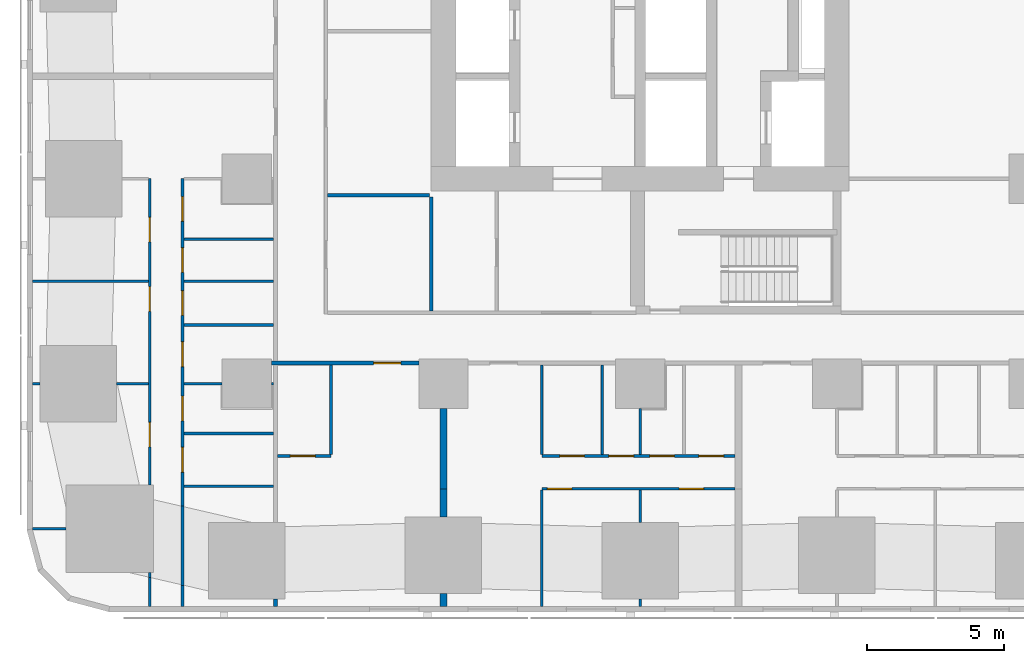
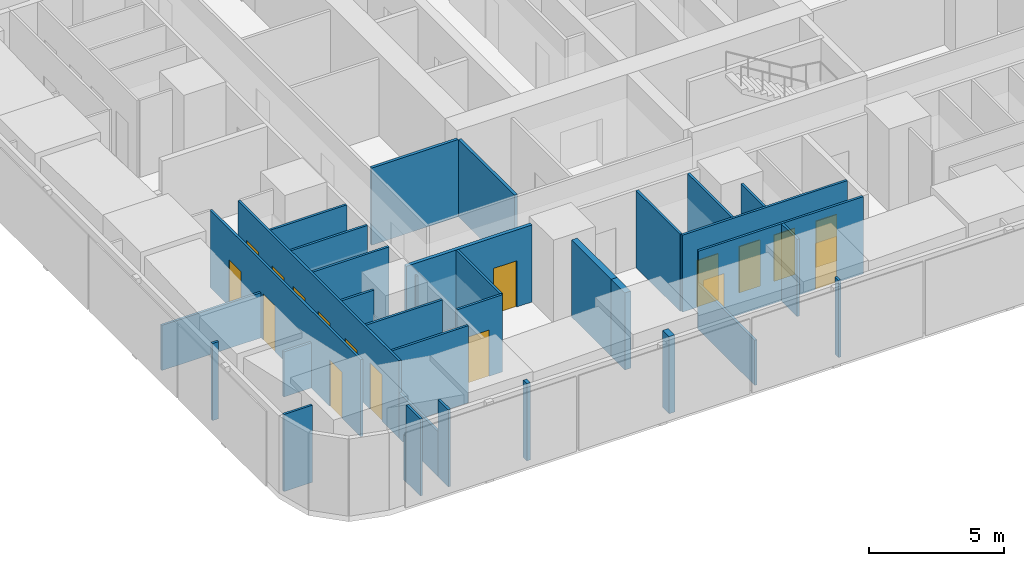
# One storey, part 2 of 18: 34 walls, 17 doors, 17 openings.
"""IFC4 building model written with IfcOpenShell, lengths in metres."""

from ifc_helpers import new_model, si_unit, direction, frame, frame_2d, origin, place, context, subcontext, project, spatial, rectangle, extrude, material, layer, layer_set, type_object, element, fill, save


model = new_model("IFC4")

# Units and contexts
model_context = context("Model", 3, precision=1e-05, world=origin(), true_north=direction((0.0, 1.0)))
body_context = subcontext(model_context, "Body", "Model", "MODEL_VIEW")
ifc_project = project(units=[si_unit("LENGTHUNIT", "METRE"), si_unit("AREAUNIT", "SQUARE_METRE"), si_unit("VOLUMEUNIT", "CUBIC_METRE"), si_unit("PLANEANGLEUNIT", "RADIAN"), si_unit("MASSUNIT", "GRAM", prefix="KILO")], contexts=[model_context])

# Site, building, storey
site_placement = place(None, origin())
site = spatial("IfcSite", under=ifc_project, at=site_placement, CompositionType="ELEMENT")
building_placement = place(site_placement, origin())
building = spatial("IfcBuilding", under=site, at=building_placement, Name="Sheger Commons Tower", CompositionType="ELEMENT")
storey_placement = place(building_placement, frame((0.0, 0.0, 38.75)))
storey = spatial("IfcBuildingStorey", under=building, at=storey_placement, Name="L09", CompositionType="ELEMENT", Elevation=38.75)

# Wall
ifc_material_1 = material(Name="Hollow concrete block masonry, skimmed both sides", Category="masonry")
ifc_layer_1 = layer(ifc_material_1, 0.14990234375)
ifc_layer_set_1 = layer_set([ifc_layer_1], Name="CORRIDOR WALL 150")
wall_type_1 = type_object("IfcWallType", Name="CORRIDOR WALL 150", PredefinedType="SOLIDWALL", material=ifc_layer_set_1)
wall_1_placement = place(storey_placement, frame((8.25, -0.64990234375, 0.0), z_axis=(0.0, 0.0, 1.0), x_axis=(0.0, 1.0, 0.0)))
element("IfcWall", 1, at=wall_1_placement, inside=storey, type_object=wall_type_1, Name="Corridor wall L09", PredefinedType="SOLIDWALL", context=body_context, shape_type="SweptSolid", body=[
    extrude(rectangle(XDim=0.27392578125, YDim=0.14990234375, at=frame_2d((0.136962890625, 0.0))), origin(), (0.0, 0.0, 1.0), 3.5),
])

# Wall, opening, door
wall_2_placement = place(storey_placement, frame((13.4990234375, 8.25, 0.0), z_axis=(0.0, 0.0, 1.0), x_axis=(-1.0, 0.0, 0.0)))
wall_2 = element("IfcWall", 2, at=wall_2_placement, inside=storey, type_object=wall_type_1, Name="Corridor wall L09", PredefinedType="SOLIDWALL", context=body_context, shape_type="SweptSolid", body=[
    extrude(rectangle(XDim=5.39892578125, YDim=0.14990234375, at=frame_2d((2.699462890625, 0.0))), origin(), (0.0, 0.0, 1.0), 3.5),
])
opening_1_placement = place(wall_2_placement, frame((0.659912109375, 0.0, 0.0)))
opening_1 = element("IfcOpeningElement", 3, at=opening_1_placement, cuts=wall_2, Name="Opening D1", PredefinedType="OPENING", context=body_context, shape_type="SweptSolid", body=[
    extrude(rectangle(XDim=1.0, YDim=2.10009765625, at=frame_2d((0.5, 1.050048828125))), frame((0.0, 0.0849609375, 0.0), z_axis=(0.0, -1.0, 0.0), x_axis=(1.0, 0.0, 0.0)), (0.0, 0.0, 1.0), 0.169921875),
])
ifc_material_2 = material(Name="Steel door set, fire rated", Category="steel")
door_type_1 = type_object("IfcDoorType", Name="FLAT ENTRANCE DOOR 1000x2100", OperationType="NOTDEFINED", PredefinedType="DOOR", material=ifc_material_2)
door_1_placement = place(opening_1_placement, origin())
door_1 = element("IfcDoor", 4, at=door_1_placement, inside=storey, type_object=door_type_1, Name="Flat entrance door", OperationType="SINGLE_SWING_LEFT", OverallHeight=2.10009765625, OverallWidth=1.0, PredefinedType="DOOR", context=body_context, shape_type="SweptSolid", body=[
    extrude(rectangle(XDim=1.0, YDim=2.10009765625, at=frame_2d((0.5, 1.050048828125))), frame((0.0, 0.02490234375, 0.0), z_axis=(0.0, -1.0, 0.0), x_axis=(1.0, 0.0, 0.0)), (0.0, 0.0, 1.0), 0.050048828125),
])
fill(opening_1, door_1)

# Walls
ifc_material_3 = material(Name="Dense concrete block masonry, plastered both sides (separating wall between flats)", Category="masonry")
ifc_layer_2 = layer(ifc_material_3, 0.25)
ifc_layer_set_2 = layer_set([ifc_layer_2], Name="DEMISING WALL 250")
wall_type_2 = type_object("IfcWallType", Name="DEMISING WALL 250", PredefinedType="SOLIDWALL", material=ifc_layer_set_2)
wall_3_placement = place(storey_placement, frame((14.39990234375, -0.64990234375, 0.0), z_axis=(0.0, 0.0, 1.0), x_axis=(0.0, 1.0, 0.0)))
element("IfcWall", 5, at=wall_3_placement, inside=storey, type_object=wall_type_2, Name="Demising wall L09", PredefinedType="SOLIDWALL", context=body_context, shape_type="SweptSolid", body=[
    extrude(rectangle(XDim=0.473876953125, YDim=0.25, at=frame_2d((0.23681640625, 0.0))), origin(), (0.0, 0.0, 1.0), 3.5),
])
wall_4_placement = place(storey_placement, frame((14.39990234375, 2.6259765625, 0.0), z_axis=(0.0, 0.0, 1.0), x_axis=(0.0, 1.0, 0.0)))
element("IfcWall", 6, at=wall_4_placement, inside=storey, type_object=wall_type_2, Name="Demising wall L09", PredefinedType="SOLIDWALL", context=body_context, shape_type="SweptSolid", body=[
    extrude(rectangle(XDim=1.02392578125, YDim=0.25, at=frame_2d((0.511962890625, 0.0))), origin(), (0.0, 0.0, 1.0), 3.5),
])
wall_5_placement = place(storey_placement, frame((14.39990234375, 3.64990234375, 0.0), z_axis=(0.0, 0.0, 1.0), x_axis=(0.0, 1.0, 0.0)))
element("IfcWall", 7, at=wall_5_placement, inside=storey, type_object=wall_type_2, Name="Demising wall L09", PredefinedType="SOLIDWALL", context=body_context, shape_type="SweptSolid", body=[
    extrude(rectangle(XDim=2.94921875, YDim=0.25, at=frame_2d((1.474609375, 0.0))), origin(), (0.0, 0.0, 1.0), 3.5),
])
ifc_material_4 = material(Name="Gypsum board on steel studs", Category="steel")
ifc_layer_3 = layer(ifc_material_4, 0.10009765625)
ifc_layer_set_3 = layer_set([ifc_layer_3], Name="PARTITION 100")
wall_type_3 = type_object("IfcWallType", Name="PARTITION 100", PredefinedType="PARTITIONING", material=ifc_layer_set_3)
wall_6_placement = place(storey_placement, frame((3.64990234375, -0.64990234375, 0.0), z_axis=(0.0, 0.0, 1.0), x_axis=(0.0, 1.0, 0.0)))
element("IfcWall", 8, at=wall_6_placement, inside=storey, type_object=wall_type_3, Name="Partition L09", PredefinedType="PARTITIONING", context=body_context, shape_type="SweptSolid", body=[
    extrude(rectangle(XDim=1.0478515625, YDim=0.10009765625, at=frame_2d((0.52392578125, 0.0))), origin(), (0.0, 0.0, 1.0), 3.5),
])
wall_7_placement = place(storey_placement, frame((3.64990234375, 0.39794921875, 0.0), z_axis=(0.0, 0.0, 1.0), x_axis=(0.0, 1.0, 0.0)))
element("IfcWall", 9, at=wall_7_placement, inside=storey, type_object=wall_type_3, Name="Partition L09", PredefinedType="PARTITIONING", context=body_context, shape_type="SweptSolid", body=[
    extrude(rectangle(XDim=0.18701171875, YDim=0.10009765625, at=frame_2d((0.093505859375, 0.0))), origin(), (0.0, 0.0, 1.0), 2.050048828125),
])

# Wall, openings, doors
wall_8_placement = place(storey_placement, frame((3.64990234375, 3.787109375, 0.0), z_axis=(0.0, 0.0, 1.0), x_axis=(0.0, 1.0, 0.0)))
wall_8 = element("IfcWall", 10, at=wall_8_placement, inside=storey, type_object=wall_type_3, Name="Partition L09", PredefinedType="PARTITIONING", context=body_context, shape_type="SweptSolid", body=[
    extrude(rectangle(XDim=11.212890625, YDim=0.10009765625, at=frame_2d((5.6064453125, 0.0))), origin(), (0.0, 0.0, 1.0), 3.5),
])
opening_2_placement = place(wall_8_placement, frame((8.89990234375, 0.0, 0.0)))
opening_2 = element("IfcOpeningElement", 11, at=opening_2_placement, cuts=wall_8, Name="Opening D2", PredefinedType="OPENING", context=body_context, shape_type="SweptSolid", body=[
    extrude(rectangle(XDim=0.89990234375, YDim=2.10009765625, at=frame_2d((0.449951171875, 1.050048828125))), frame((0.0, 0.06005859375, 0.0), z_axis=(0.0, -1.0, 0.0), x_axis=(1.0, 0.0, 0.0)), (0.0, 0.0, 1.0), 0.1201171875),
])
opening_3_placement = place(wall_8_placement, frame((6.363037109375, 0.0, 0.0)))
opening_3 = element("IfcOpeningElement", 12, at=opening_3_placement, cuts=wall_8, Name="Opening D2", PredefinedType="OPENING", context=body_context, shape_type="SweptSolid", body=[
    extrude(rectangle(XDim=0.89990234375, YDim=2.10009765625, at=frame_2d((0.449951171875, 1.050048828125))), frame((0.0, 0.06005859375, 0.0), z_axis=(0.0, -1.0, 0.0), x_axis=(1.0, 0.0, 0.0)), (0.0, 0.0, 1.0), 0.1201171875),
])
opening_4_placement = place(wall_8_placement, frame((1.39990234375, 0.0, 0.0)))
opening_4 = element("IfcOpeningElement", 13, at=opening_4_placement, cuts=wall_8, Name="Opening D2", PredefinedType="OPENING", context=body_context, shape_type="SweptSolid", body=[
    extrude(rectangle(XDim=0.89990234375, YDim=2.10009765625, at=frame_2d((0.449951171875, 1.050048828125))), frame((0.0, 0.06005859375, 0.0), z_axis=(0.0, -1.0, 0.0), x_axis=(1.0, 0.0, 0.0)), (0.0, 0.0, 1.0), 0.1201171875),
])
ifc_material_5 = material(Name="Timber door set", Category="wood")
door_type_2 = type_object("IfcDoorType", Name="INTERNAL DOOR 900x2100", OperationType="NOTDEFINED", PredefinedType="DOOR", material=ifc_material_5)
door_2_placement = place(opening_2_placement, origin())
door_2 = element("IfcDoor", 14, at=door_2_placement, inside=storey, type_object=door_type_2, Name="Main bedroom door", OperationType="SINGLE_SWING_RIGHT", OverallHeight=2.10009765625, OverallWidth=0.89990234375, PredefinedType="DOOR", context=body_context, shape_type="SweptSolid", body=[
    extrude(rectangle(XDim=0.89990234375, YDim=2.10009765625, at=frame_2d((0.449951171875, 1.050048828125))), frame((0.0, 0.02490234375, 0.0), z_axis=(0.0, -1.0, 0.0), x_axis=(1.0, 0.0, 0.0)), (0.0, 0.0, 1.0), 0.050048828125),
])
fill(opening_2, door_2)
door_3_placement = place(opening_3_placement, origin())
door_3 = element("IfcDoor", 15, at=door_3_placement, inside=storey, type_object=door_type_2, Name="Bedroom 2 door", OperationType="SINGLE_SWING_RIGHT", OverallHeight=2.10009765625, OverallWidth=0.89990234375, PredefinedType="DOOR", context=body_context, shape_type="SweptSolid", body=[
    extrude(rectangle(XDim=0.89990234375, YDim=2.10009765625, at=frame_2d((0.449951171875, 1.050048828125))), frame((0.0, 0.02490234375, 0.0), z_axis=(0.0, -1.0, 0.0), x_axis=(1.0, 0.0, 0.0)), (0.0, 0.0, 1.0), 0.050048828125),
])
fill(opening_3, door_3)
door_4_placement = place(opening_4_placement, origin())
door_4 = element("IfcDoor", 16, at=door_4_placement, inside=storey, type_object=door_type_2, Name="Bedroom 3 door", OperationType="SINGLE_SWING_LEFT", OverallHeight=2.10009765625, OverallWidth=0.89990234375, PredefinedType="DOOR", context=body_context, shape_type="SweptSolid", body=[
    extrude(rectangle(XDim=0.89990234375, YDim=2.10009765625, at=frame_2d((0.449951171875, 1.050048828125))), frame((0.0, 0.02490234375, 0.0), z_axis=(0.0, -1.0, 0.0), x_axis=(1.0, 0.0, 0.0)), (0.0, 0.0, 1.0), 0.050048828125),
])
fill(opening_4, door_4)

# Walls
wall_9_placement = place(storey_placement, frame((4.85009765625, -0.64990234375, 0.0), z_axis=(0.0, 0.0, 1.0), x_axis=(0.0, 1.0, 0.0)))
element("IfcWall", 17, at=wall_9_placement, inside=storey, type_object=wall_type_3, Name="Partition L09", PredefinedType="PARTITIONING", context=body_context, shape_type="SweptSolid", body=[
    extrude(rectangle(XDim=0.77099609375, YDim=0.10009765625, at=frame_2d((0.385498046875, 0.0))), origin(), (0.0, 0.0, 1.0), 3.5),
])
wall_10_placement = place(storey_placement, frame((4.85009765625, 0.12109375, 0.0), z_axis=(0.0, 0.0, 1.0), x_axis=(0.0, 1.0, 0.0)))
element("IfcWall", 18, at=wall_10_placement, inside=storey, type_object=wall_type_3, Name="Partition L09", PredefinedType="PARTITIONING", context=body_context, shape_type="SweptSolid", body=[
    extrude(rectangle(XDim=2.89697265625, YDim=0.10009765625, at=frame_2d((1.448486328125, 0.0))), origin(), (0.0, 0.0, 1.0), 2.050048828125),
])

# Wall, openings, doors
wall_11_placement = place(storey_placement, frame((4.85009765625, 3.01806640625, 0.0), z_axis=(0.0, 0.0, 1.0), x_axis=(0.0, 1.0, 0.0)))
wall_11 = element("IfcWall", 19, at=wall_11_placement, inside=storey, type_object=wall_type_3, Name="Partition L09", PredefinedType="PARTITIONING", context=body_context, shape_type="SweptSolid", body=[
    extrude(rectangle(XDim=11.98193359375, YDim=0.10009765625, at=frame_2d((5.990966796875, 0.0))), origin(), (0.0, 0.0, 1.0), 3.5),
])
opening_5_placement = place(wall_11_placement, frame((10.427001953125, 0.0, 0.0)))
opening_5 = element("IfcOpeningElement", 20, at=opening_5_placement, cuts=wall_11, Name="Opening D2", PredefinedType="OPENING", context=body_context, shape_type="SweptSolid", body=[
    extrude(rectangle(XDim=0.89990234375, YDim=2.10009765625, at=frame_2d((0.449951171875, 1.050048828125))), frame((0.0, 0.06005859375, 0.0), z_axis=(0.0, -1.0, 0.0), x_axis=(1.0, 0.0, 0.0)), (0.0, 0.0, 1.0), 0.1201171875),
])
opening_6_placement = place(wall_11_placement, frame((6.98193359375, 0.0, 0.0)))
opening_6 = element("IfcOpeningElement", 21, at=opening_6_placement, cuts=wall_11, Name="Opening D2", PredefinedType="OPENING", context=body_context, shape_type="SweptSolid", body=[
    extrude(rectangle(XDim=0.89990234375, YDim=2.10009765625, at=frame_2d((0.449951171875, 1.050048828125))), frame((0.0, 0.06005859375, 0.0), z_axis=(0.0, -1.0, 0.0), x_axis=(1.0, 0.0, 0.0)), (0.0, 0.0, 1.0), 0.1201171875),
])
opening_7_placement = place(wall_11_placement, frame((3.1220703125, 0.0, 0.0)))
opening_7 = element("IfcOpeningElement", 22, at=opening_7_placement, cuts=wall_11, Name="Opening D2", PredefinedType="OPENING", context=body_context, shape_type="SweptSolid", body=[
    extrude(rectangle(XDim=0.89990234375, YDim=2.10009765625, at=frame_2d((0.449951171875, 1.050048828125))), frame((0.0, 0.06005859375, 0.0), z_axis=(0.0, -1.0, 0.0), x_axis=(1.0, 0.0, 0.0)), (0.0, 0.0, 1.0), 0.1201171875),
])
opening_8_placement = place(wall_11_placement, frame((8.552001953125, 0.0, 0.0)))
opening_8 = element("IfcOpeningElement", 23, at=opening_8_placement, cuts=wall_11, Name="Opening D2", PredefinedType="OPENING", context=body_context, shape_type="SweptSolid", body=[
    extrude(rectangle(XDim=0.89990234375, YDim=2.10009765625, at=frame_2d((0.449951171875, 1.050048828125))), frame((0.0, 0.06005859375, 0.0), z_axis=(0.0, -1.0, 0.0), x_axis=(1.0, 0.0, 0.0)), (0.0, 0.0, 1.0), 0.1201171875),
])
opening_9_placement = place(wall_11_placement, frame((5.10693359375, 0.0, 0.0)))
opening_9 = element("IfcOpeningElement", 24, at=opening_9_placement, cuts=wall_11, Name="Opening D2", PredefinedType="OPENING", context=body_context, shape_type="SweptSolid", body=[
    extrude(rectangle(XDim=0.89990234375, YDim=2.10009765625, at=frame_2d((0.449951171875, 1.050048828125))), frame((0.0, 0.06005859375, 0.0), z_axis=(0.0, -1.0, 0.0), x_axis=(1.0, 0.0, 0.0)), (0.0, 0.0, 1.0), 0.1201171875),
])
opening_10_placement = place(wall_11_placement, frame((1.2470703125, 0.0, 0.0)))
opening_10 = element("IfcOpeningElement", 25, at=opening_10_placement, cuts=wall_11, Name="Opening D2", PredefinedType="OPENING", context=body_context, shape_type="SweptSolid", body=[
    extrude(rectangle(XDim=0.89990234375, YDim=2.10009765625, at=frame_2d((0.449951171875, 1.050048828125))), frame((0.0, 0.06005859375, 0.0), z_axis=(0.0, -1.0, 0.0), x_axis=(1.0, 0.0, 0.0)), (0.0, 0.0, 1.0), 0.1201171875),
])
door_5_placement = place(opening_5_placement, origin())
door_5 = element("IfcDoor", 26, at=door_5_placement, inside=storey, type_object=door_type_2, Name="Bathroom door", OperationType="SINGLE_SWING_LEFT", OverallHeight=2.10009765625, OverallWidth=0.89990234375, PredefinedType="DOOR", context=body_context, shape_type="SweptSolid", body=[
    extrude(rectangle(XDim=0.89990234375, YDim=2.10009765625, at=frame_2d((0.449951171875, 1.050048828125))), frame((0.0, 0.02490234375, 0.0), z_axis=(0.0, -1.0, 0.0), x_axis=(1.0, 0.0, 0.0)), (0.0, 0.0, 1.0), 0.050048828125),
])
fill(opening_5, door_5)
door_6_placement = place(opening_6_placement, origin())
door_6 = element("IfcDoor", 27, at=door_6_placement, inside=storey, type_object=door_type_2, Name="Shower room door", OperationType="SINGLE_SWING_RIGHT", OverallHeight=2.10009765625, OverallWidth=0.89990234375, PredefinedType="DOOR", context=body_context, shape_type="SweptSolid", body=[
    extrude(rectangle(XDim=0.89990234375, YDim=2.10009765625, at=frame_2d((0.449951171875, 1.050048828125))), frame((0.0, 0.02490234375, 0.0), z_axis=(0.0, -1.0, 0.0), x_axis=(1.0, 0.0, 0.0)), (0.0, 0.0, 1.0), 0.050048828125),
])
fill(opening_6, door_6)
door_7_placement = place(opening_7_placement, origin())
door_7 = element("IfcDoor", 28, at=door_7_placement, inside=storey, type_object=door_type_2, Name="Laundry room door", OperationType="SINGLE_SWING_RIGHT", OverallHeight=2.10009765625, OverallWidth=0.89990234375, PredefinedType="DOOR", context=body_context, shape_type="SweptSolid", body=[
    extrude(rectangle(XDim=0.89990234375, YDim=2.10009765625, at=frame_2d((0.449951171875, 1.050048828125))), frame((0.0, 0.02490234375, 0.0), z_axis=(0.0, -1.0, 0.0), x_axis=(1.0, 0.0, 0.0)), (0.0, 0.0, 1.0), 0.050048828125),
])
fill(opening_7, door_7)
door_8_placement = place(opening_8_placement, origin())
door_8 = element("IfcDoor", 29, at=door_8_placement, inside=storey, type_object=door_type_2, Name="Store door", OperationType="SINGLE_SWING_LEFT", OverallHeight=2.10009765625, OverallWidth=0.89990234375, PredefinedType="DOOR", context=body_context, shape_type="SweptSolid", body=[
    extrude(rectangle(XDim=0.89990234375, YDim=2.10009765625, at=frame_2d((0.449951171875, 1.050048828125))), frame((0.0, 0.02490234375, 0.0), z_axis=(0.0, -1.0, 0.0), x_axis=(1.0, 0.0, 0.0)), (0.0, 0.0, 1.0), 0.050048828125),
])
fill(opening_8, door_8)
door_9_placement = place(opening_9_placement, origin())
door_9 = element("IfcDoor", 30, at=door_9_placement, inside=storey, type_object=door_type_2, Name="Store door", OperationType="SINGLE_SWING_LEFT", OverallHeight=2.10009765625, OverallWidth=0.89990234375, PredefinedType="DOOR", context=body_context, shape_type="SweptSolid", body=[
    extrude(rectangle(XDim=0.89990234375, YDim=2.10009765625, at=frame_2d((0.449951171875, 1.050048828125))), frame((0.0, 0.02490234375, 0.0), z_axis=(0.0, -1.0, 0.0), x_axis=(1.0, 0.0, 0.0)), (0.0, 0.0, 1.0), 0.050048828125),
])
fill(opening_9, door_9)
door_10_placement = place(opening_10_placement, origin())
door_10 = element("IfcDoor", 31, at=door_10_placement, inside=storey, type_object=door_type_2, Name="Store door", OperationType="SINGLE_SWING_LEFT", OverallHeight=2.10009765625, OverallWidth=0.89990234375, PredefinedType="DOOR", context=body_context, shape_type="SweptSolid", body=[
    extrude(rectangle(XDim=0.89990234375, YDim=2.10009765625, at=frame_2d((0.449951171875, 1.050048828125))), frame((0.0, 0.02490234375, 0.0), z_axis=(0.0, -1.0, 0.0), x_axis=(1.0, 0.0, 0.0)), (0.0, 0.0, 1.0), 0.050048828125),
])
fill(opening_10, door_10)

# Walls
wall_12_placement = place(storey_placement, frame((-0.64990234375, 2.18603515625, 0.0), z_axis=(0.0, 0.0, 1.0), x_axis=(1.0, 0.0, 0.0)))
element("IfcWall", 32, at=wall_12_placement, inside=storey, type_object=wall_type_3, Name="Partition L09", PredefinedType="PARTITIONING", context=body_context, shape_type="SweptSolid", body=[
    extrude(rectangle(XDim=1.23486328125, YDim=0.10009765625, at=frame_2d((0.617431640625, 0.0))), origin(), (0.0, 0.0, 1.0), 3.5),
])
wall_13_placement = place(storey_placement, frame((-0.64990234375, 7.5, 0.0), z_axis=(0.0, 0.0, 1.0), x_axis=(1.0, 0.0, 0.0)))
element("IfcWall", 33, at=wall_13_placement, inside=storey, type_object=wall_type_3, Name="Partition L09", PredefinedType="PARTITIONING", context=body_context, shape_type="SweptSolid", body=[
    extrude(rectangle(XDim=0.27392578125, YDim=0.10009765625, at=frame_2d((0.136962890625, 0.0))), origin(), (0.0, 0.0, 1.0), 3.5),
])
wall_14_placement = place(storey_placement, frame((2.426025390625, 7.5, 0.0), z_axis=(0.0, 0.0, 1.0), x_axis=(1.0, 0.0, 0.0)))
element("IfcWall", 34, at=wall_14_placement, inside=storey, type_object=wall_type_3, Name="Partition L09", PredefinedType="PARTITIONING", context=body_context, shape_type="SweptSolid", body=[
    extrude(rectangle(XDim=1.174072265625, YDim=0.10009765625, at=frame_2d((0.5869140625, 0.0))), origin(), (0.0, 0.0, 1.0), 2.050048828125),
])
wall_15_placement = place(storey_placement, frame((-0.64990234375, 11.25, 0.0), z_axis=(0.0, 0.0, 1.0), x_axis=(1.0, 0.0, 0.0)))
element("IfcWall", 35, at=wall_15_placement, inside=storey, type_object=wall_type_3, Name="Partition L09", PredefinedType="PARTITIONING", context=body_context, shape_type="SweptSolid", body=[
    extrude(rectangle(XDim=4.25, YDim=0.10009765625, at=frame_2d((2.125, 0.0))), origin(), (0.0, 0.0, 1.0), 2.050048828125),
])
wall_16_placement = place(storey_placement, frame((4.89990234375, 3.75, 0.0), z_axis=(0.0, 0.0, 1.0), x_axis=(1.0, 0.0, 0.0)))
element("IfcWall", 36, at=wall_16_placement, inside=storey, type_object=wall_type_3, Name="Partition L09", PredefinedType="PARTITIONING", context=body_context, shape_type="SweptSolid", body=[
    extrude(rectangle(XDim=3.275146484375, YDim=0.10009765625, at=frame_2d((1.6376953125, 0.0))), origin(), (0.0, 0.0, 1.0), 3.5),
])
wall_17_placement = place(storey_placement, frame((4.89990234375, 7.5, 0.0), z_axis=(0.0, 0.0, 1.0), x_axis=(1.0, 0.0, 0.0)))
element("IfcWall", 37, at=wall_17_placement, inside=storey, type_object=wall_type_3, Name="Partition L09", PredefinedType="PARTITIONING", context=body_context, shape_type="SweptSolid", body=[
    extrude(rectangle(XDim=1.399169921875, YDim=0.10009765625, at=frame_2d((0.69970703125, 0.0))), origin(), (0.0, 0.0, 1.0), 3.5),
])
wall_18_placement = place(storey_placement, frame((8.10107421875, 7.5, 0.0), z_axis=(0.0, 0.0, 1.0), x_axis=(1.0, 0.0, 0.0)))
element("IfcWall", 38, at=wall_18_placement, inside=storey, type_object=wall_type_3, Name="Partition L09", PredefinedType="PARTITIONING", context=body_context, shape_type="SweptSolid", body=[
    extrude(rectangle(XDim=0.073974609375, YDim=0.10009765625, at=frame_2d((0.037109375, 0.0))), origin(), (0.0, 0.0, 1.0), 3.5),
])
for number, where, z_axis, x_axis, name in (
    (39, (4.89990234375, 11.25, 0.0), (0.0, 0.0, 1.0), (1.0, 0.0, 0.0), "Partition L09"),
    (40, (4.89990234375, 12.7900390625, 0.0), (0.0, 0.0, 1.0), (1.0, 0.0, 0.0), "Partition L09"),
    (41, (4.89990234375, 9.64990234375, 0.0), (0.0, 0.0, 1.0), (1.0, 0.0, 0.0), "Partition L09"),
    (42, (4.89990234375, 5.679931640625, 0.0), (0.0, 0.0, 1.0), (1.0, 0.0, 0.0), "Partition L09"),
):
    element("IfcWall", number, at=place(storey_placement, frame(where, z_axis=z_axis, x_axis=x_axis)), inside=storey, type_object=wall_type_3, Name=name, PredefinedType="PARTITIONING", context=body_context, shape_type="SweptSolid", body=[
        extrude(rectangle(XDim=3.275146484375, YDim=0.10009765625, at=frame_2d((1.6376953125, 0.0))), origin(), (0.0, 0.0, 1.0), 3.5),
    ])

# Wall, opening, door
wall_19_placement = place(storey_placement, frame((10.279052734375, 4.85009765625, 0.0), z_axis=(0.0, 0.0, 1.0), x_axis=(-1.0, 0.0, 0.0)))
wall_19 = element("IfcWall", 43, at=wall_19_placement, inside=storey, type_object=wall_type_3, Name="Partition L09", PredefinedType="PARTITIONING", context=body_context, shape_type="SweptSolid", body=[
    extrude(rectangle(XDim=1.9541015625, YDim=0.10009765625, at=frame_2d((0.97705078125, 0.0))), origin(), (0.0, 0.0, 1.0), 3.5),
])
opening_11_placement = place(wall_19_placement, frame((0.5791015625, 0.0, 0.0)))
opening_11 = element("IfcOpeningElement", 44, at=opening_11_placement, cuts=wall_19, Name="Opening D2", PredefinedType="OPENING", context=body_context, shape_type="SweptSolid", body=[
    extrude(rectangle(XDim=0.89990234375, YDim=2.10009765625, at=frame_2d((0.449951171875, 1.050048828125))), frame((0.0, 0.06005859375, 0.0), z_axis=(0.0, -1.0, 0.0), x_axis=(1.0, 0.0, 0.0)), (0.0, 0.0, 1.0), 0.1201171875),
])
door_11_placement = place(opening_11_placement, origin())
door_11 = element("IfcDoor", 45, at=door_11_placement, inside=storey, type_object=door_type_2, Name="Shower room door", OperationType="SINGLE_SWING_LEFT", OverallHeight=2.10009765625, OverallWidth=0.89990234375, PredefinedType="DOOR", context=body_context, shape_type="SweptSolid", body=[
    extrude(rectangle(XDim=0.89990234375, YDim=2.10009765625, at=frame_2d((0.449951171875, 1.050048828125))), frame((0.0, 0.02490234375, 0.0), z_axis=(0.0, -1.0, 0.0), x_axis=(1.0, 0.0, 0.0)), (0.0, 0.0, 1.0), 0.050048828125),
])
fill(opening_11, door_11)

# Wall
wall_20_placement = place(storey_placement, frame((10.279052734375, 4.89990234375, 0.0), z_axis=(0.0, 0.0, 1.0), x_axis=(0.0, 1.0, 0.0)))
element("IfcWall", 46, at=wall_20_placement, inside=storey, type_object=wall_type_3, Name="Partition L09", PredefinedType="PARTITIONING", context=body_context, shape_type="SweptSolid", body=[
    extrude(rectangle(XDim=3.275146484375, YDim=0.10009765625, at=frame_2d((1.6376953125, 0.0))), origin(), (0.0, 0.0, 1.0), 3.5),
])

# Wall, openings, doors
wall_21_placement = place(storey_placement, frame((25.074951171875, 3.64990234375, 0.0), z_axis=(0.0, 0.0, 1.0), x_axis=(-1.0, 0.0, 0.0)))
wall_21 = element("IfcWall", 47, at=wall_21_placement, inside=storey, type_object=wall_type_3, Name="Partition L09", PredefinedType="PARTITIONING", context=body_context, shape_type="SweptSolid", body=[
    extrude(rectangle(XDim=7.074951171875, YDim=0.10009765625, at=frame_2d((3.53759765625, 0.0))), origin(), (0.0, 0.0, 1.0), 3.5),
])
opening_12_placement = place(wall_21_placement, frame((5.97509765625, 0.0, 0.0)))
opening_12 = element("IfcOpeningElement", 48, at=opening_12_placement, cuts=wall_21, Name="Opening D2", PredefinedType="OPENING", context=body_context, shape_type="SweptSolid", body=[
    extrude(rectangle(XDim=0.89990234375, YDim=2.10009765625, at=frame_2d((0.449951171875, 1.050048828125))), frame((0.0, 0.06005859375, 0.0), z_axis=(0.0, -1.0, 0.0), x_axis=(1.0, 0.0, 0.0)), (0.0, 0.0, 1.0), 0.1201171875),
])
opening_13_placement = place(wall_21_placement, frame((1.14990234375, 0.0, 0.0)))
opening_13 = element("IfcOpeningElement", 49, at=opening_13_placement, cuts=wall_21, Name="Opening D2", PredefinedType="OPENING", context=body_context, shape_type="SweptSolid", body=[
    extrude(rectangle(XDim=0.89990234375, YDim=2.10009765625, at=frame_2d((0.449951171875, 1.050048828125))), frame((0.0, 0.06005859375, 0.0), z_axis=(0.0, -1.0, 0.0), x_axis=(1.0, 0.0, 0.0)), (0.0, 0.0, 1.0), 0.1201171875),
])
door_12_placement = place(opening_12_placement, origin())
door_12 = element("IfcDoor", 50, at=door_12_placement, inside=storey, type_object=door_type_2, Name="Main bedroom door", OperationType="SINGLE_SWING_RIGHT", OverallHeight=2.10009765625, OverallWidth=0.89990234375, PredefinedType="DOOR", context=body_context, shape_type="SweptSolid", body=[
    extrude(rectangle(XDim=0.89990234375, YDim=2.10009765625, at=frame_2d((0.449951171875, 1.050048828125))), frame((0.0, 0.02490234375, 0.0), z_axis=(0.0, -1.0, 0.0), x_axis=(1.0, 0.0, 0.0)), (0.0, 0.0, 1.0), 0.050048828125),
])
fill(opening_12, door_12)
door_13_placement = place(opening_13_placement, origin())
door_13 = element("IfcDoor", 51, at=door_13_placement, inside=storey, type_object=door_type_2, Name="Bedroom 2 door", OperationType="SINGLE_SWING_LEFT", OverallHeight=2.10009765625, OverallWidth=0.89990234375, PredefinedType="DOOR", context=body_context, shape_type="SweptSolid", body=[
    extrude(rectangle(XDim=0.89990234375, YDim=2.10009765625, at=frame_2d((0.449951171875, 1.050048828125))), frame((0.0, 0.02490234375, 0.0), z_axis=(0.0, -1.0, 0.0), x_axis=(1.0, 0.0, 0.0)), (0.0, 0.0, 1.0), 0.050048828125),
])
fill(opening_13, door_13)

wall_22_placement = place(storey_placement, frame((25.074951171875, 4.85009765625, 0.0), z_axis=(0.0, 0.0, 1.0), x_axis=(-1.0, 0.0, 0.0)))
wall_22 = element("IfcWall", 52, at=wall_22_placement, inside=storey, type_object=wall_type_3, Name="Partition L09", PredefinedType="PARTITIONING", context=body_context, shape_type="SweptSolid", body=[
    extrude(rectangle(XDim=7.074951171875, YDim=0.10009765625, at=frame_2d((3.53759765625, 0.0))), origin(), (0.0, 0.0, 1.0), 3.5),
])
opening_14_placement = place(wall_22_placement, frame((5.52001953125, 0.0, 0.0)))
opening_14 = element("IfcOpeningElement", 53, at=opening_14_placement, cuts=wall_22, Name="Opening D2", PredefinedType="OPENING", context=body_context, shape_type="SweptSolid", body=[
    extrude(rectangle(XDim=0.89990234375, YDim=2.10009765625, at=frame_2d((0.449951171875, 1.050048828125))), frame((0.0, 0.06005859375, 0.0), z_axis=(0.0, -1.0, 0.0), x_axis=(1.0, 0.0, 0.0)), (0.0, 0.0, 1.0), 0.1201171875),
])
opening_15_placement = place(wall_22_placement, frame((2.22509765625, 0.0, 0.0)))
opening_15 = element("IfcOpeningElement", 54, at=opening_15_placement, cuts=wall_22, Name="Opening D2", PredefinedType="OPENING", context=body_context, shape_type="SweptSolid", body=[
    extrude(rectangle(XDim=0.89990234375, YDim=2.10009765625, at=frame_2d((0.449951171875, 1.050048828125))), frame((0.0, 0.06005859375, 0.0), z_axis=(0.0, -1.0, 0.0), x_axis=(1.0, 0.0, 0.0)), (0.0, 0.0, 1.0), 0.1201171875),
])
opening_16_placement = place(wall_22_placement, frame((3.719970703125, 0.0, 0.0)))
opening_16 = element("IfcOpeningElement", 55, at=opening_16_placement, cuts=wall_22, Name="Opening D2", PredefinedType="OPENING", context=body_context, shape_type="SweptSolid", body=[
    extrude(rectangle(XDim=0.89990234375, YDim=2.10009765625, at=frame_2d((0.449951171875, 1.050048828125))), frame((0.0, 0.06005859375, 0.0), z_axis=(0.0, -1.0, 0.0), x_axis=(1.0, 0.0, 0.0)), (0.0, 0.0, 1.0), 0.1201171875),
])
opening_17_placement = place(wall_22_placement, frame((0.425048828125, 0.0, 0.0)))
opening_17 = element("IfcOpeningElement", 56, at=opening_17_placement, cuts=wall_22, Name="Opening D2", PredefinedType="OPENING", context=body_context, shape_type="SweptSolid", body=[
    extrude(rectangle(XDim=0.89990234375, YDim=2.10009765625, at=frame_2d((0.449951171875, 1.050048828125))), frame((0.0, 0.06005859375, 0.0), z_axis=(0.0, -1.0, 0.0), x_axis=(1.0, 0.0, 0.0)), (0.0, 0.0, 1.0), 0.1201171875),
])
door_14_placement = place(opening_14_placement, origin())
door_14 = element("IfcDoor", 57, at=door_14_placement, inside=storey, type_object=door_type_2, Name="Bathroom door", OperationType="SINGLE_SWING_LEFT", OverallHeight=2.10009765625, OverallWidth=0.89990234375, PredefinedType="DOOR", context=body_context, shape_type="SweptSolid", body=[
    extrude(rectangle(XDim=0.89990234375, YDim=2.10009765625, at=frame_2d((0.449951171875, 1.050048828125))), frame((0.0, 0.02490234375, 0.0), z_axis=(0.0, -1.0, 0.0), x_axis=(1.0, 0.0, 0.0)), (0.0, 0.0, 1.0), 0.050048828125),
])
fill(opening_14, door_14)
door_15_placement = place(opening_15_placement, origin())
door_15 = element("IfcDoor", 58, at=door_15_placement, inside=storey, type_object=door_type_2, Name="Shower room door", OperationType="SINGLE_SWING_LEFT", OverallHeight=2.10009765625, OverallWidth=0.89990234375, PredefinedType="DOOR", context=body_context, shape_type="SweptSolid", body=[
    extrude(rectangle(XDim=0.89990234375, YDim=2.10009765625, at=frame_2d((0.449951171875, 1.050048828125))), frame((0.0, 0.02490234375, 0.0), z_axis=(0.0, -1.0, 0.0), x_axis=(1.0, 0.0, 0.0)), (0.0, 0.0, 1.0), 0.050048828125),
])
fill(opening_15, door_15)
door_16_placement = place(opening_16_placement, origin())
door_16 = element("IfcDoor", 59, at=door_16_placement, inside=storey, type_object=door_type_2, Name="Store door", OperationType="SINGLE_SWING_LEFT", OverallHeight=2.10009765625, OverallWidth=0.89990234375, PredefinedType="DOOR", context=body_context, shape_type="SweptSolid", body=[
    extrude(rectangle(XDim=0.89990234375, YDim=2.10009765625, at=frame_2d((0.449951171875, 1.050048828125))), frame((0.0, 0.02490234375, 0.0), z_axis=(0.0, -1.0, 0.0), x_axis=(1.0, 0.0, 0.0)), (0.0, 0.0, 1.0), 0.050048828125),
])
fill(opening_16, door_16)
door_17_placement = place(opening_17_placement, origin())
door_17 = element("IfcDoor", 60, at=door_17_placement, inside=storey, type_object=door_type_2, Name="Store door", OperationType="SINGLE_SWING_RIGHT", OverallHeight=2.10009765625, OverallWidth=0.89990234375, PredefinedType="DOOR", context=body_context, shape_type="SweptSolid", body=[
    extrude(rectangle(XDim=0.89990234375, YDim=2.10009765625, at=frame_2d((0.449951171875, 1.050048828125))), frame((0.0, 0.02490234375, 0.0), z_axis=(0.0, -1.0, 0.0), x_axis=(1.0, 0.0, 0.0)), (0.0, 0.0, 1.0), 0.050048828125),
])
fill(opening_17, door_17)

# Walls
wall_23_placement = place(storey_placement, frame((18.0, -0.64990234375, 0.0), z_axis=(0.0, 0.0, 1.0), x_axis=(0.0, 1.0, 0.0)))
element("IfcWall", 61, at=wall_23_placement, inside=storey, type_object=wall_type_3, Name="Partition L09", PredefinedType="PARTITIONING", context=body_context, shape_type="SweptSolid", body=[
    extrude(rectangle(XDim=4.25, YDim=0.10009765625, at=frame_2d((2.125, 0.0))), origin(), (0.0, 0.0, 1.0), 2.050048828125),
])
wall_24_placement = place(storey_placement, frame((21.60009765625, -0.64990234375, 0.0), z_axis=(0.0, 0.0, 1.0), x_axis=(0.0, 1.0, 0.0)))
element("IfcWall", 62, at=wall_24_placement, inside=storey, type_object=wall_type_3, Name="Partition L09", PredefinedType="PARTITIONING", context=body_context, shape_type="SweptSolid", body=[
    extrude(rectangle(XDim=0.27392578125, YDim=0.10009765625, at=frame_2d((0.136962890625, 0.0))), origin(), (0.0, 0.0, 1.0), 3.5),
])
wall_25_placement = place(storey_placement, frame((21.60009765625, 2.426025390625, 0.0), z_axis=(0.0, 0.0, 1.0), x_axis=(0.0, 1.0, 0.0)))
element("IfcWall", 63, at=wall_25_placement, inside=storey, type_object=wall_type_3, Name="Partition L09", PredefinedType="PARTITIONING", context=body_context, shape_type="SweptSolid", body=[
    extrude(rectangle(XDim=1.174072265625, YDim=0.10009765625, at=frame_2d((0.5869140625, 0.0))), origin(), (0.0, 0.0, 1.0), 3.5),
])
wall_26_placement = place(storey_placement, frame((18.0, 4.89990234375, 0.0), z_axis=(0.0, 0.0, 1.0), x_axis=(0.0, 1.0, 0.0)))
element("IfcWall", 64, at=wall_26_placement, inside=storey, type_object=wall_type_3, Name="Partition L09", PredefinedType="PARTITIONING", context=body_context, shape_type="SweptSolid", body=[
    extrude(rectangle(XDim=3.275146484375, YDim=0.10009765625, at=frame_2d((1.6376953125, 0.0))), origin(), (0.0, 0.0, 1.0), 3.5),
])
wall_27_placement = place(storey_placement, frame((21.60009765625, 4.89990234375, 0.0), z_axis=(0.0, 0.0, 1.0), x_axis=(0.0, 1.0, 0.0)))
element("IfcWall", 65, at=wall_27_placement, inside=storey, type_object=wall_type_3, Name="Partition L09", PredefinedType="PARTITIONING", context=body_context, shape_type="SweptSolid", body=[
    extrude(rectangle(XDim=1.69921875, YDim=0.10009765625, at=frame_2d((0.849609375, 0.0))), origin(), (0.0, 0.0, 1.0), 3.5),
])
wall_28_placement = place(storey_placement, frame((20.2099609375, 4.89990234375, 0.0), z_axis=(0.0, 0.0, 1.0), x_axis=(0.0, 1.0, 0.0)))
element("IfcWall", 66, at=wall_28_placement, inside=storey, type_object=wall_type_3, Name="Partition L09", PredefinedType="PARTITIONING", context=body_context, shape_type="SweptSolid", body=[
    extrude(rectangle(XDim=3.275146484375, YDim=0.10009765625, at=frame_2d((1.6376953125, 0.0))), origin(), (0.0, 0.0, 1.0), 3.5),
])
ifc_material_6 = material(Name="Gypsum board on steel studs, two layers each side, fire rated", Category="steel")
ifc_layer_4 = layer(ifc_material_6, 0.125)
ifc_layer_set_4 = layer_set([ifc_layer_4], Name="SERVICE WALL 125")
wall_type_4 = type_object("IfcWallType", Name="SERVICE WALL 125", PredefinedType="PARTITIONING", material=ifc_layer_set_4)
wall_29_placement = place(storey_placement, frame((10.1630859375, 14.39990234375, 0.0), z_axis=(0.0, 0.0, 1.0), x_axis=(1.0, 0.0, 0.0)))
element("IfcWall", 67, at=wall_29_placement, inside=storey, type_object=wall_type_4, Name="Service room wall L09", PredefinedType="PARTITIONING", context=body_context, shape_type="SweptSolid", body=[
    extrude(rectangle(XDim=3.724853515625, YDim=0.125, at=frame_2d((1.8623046875, 0.0))), origin(), (0.0, 0.0, 1.0), 3.5),
])
wall_30_placement = place(storey_placement, frame((13.949951171875, 10.1630859375, 0.0), z_axis=(0.0, 0.0, 1.0), x_axis=(0.0, 1.0, 0.0)))
element("IfcWall", 68, at=wall_30_placement, inside=storey, type_object=wall_type_4, Name="Service room wall L09", PredefinedType="PARTITIONING", context=body_context, shape_type="SweptSolid", body=[
    extrude(rectangle(XDim=4.1748046875, YDim=0.125, at=frame_2d((2.08740234375, 0.0))), origin(), (0.0, 0.0, 1.0), 3.5),
])

save(model, "model.ifc")
